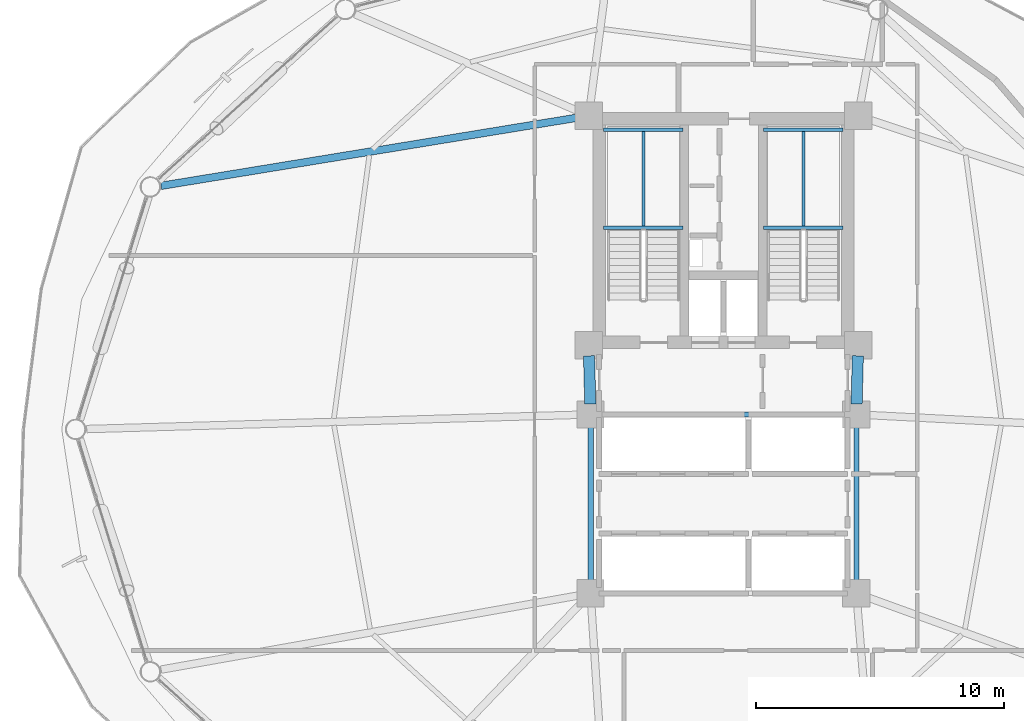
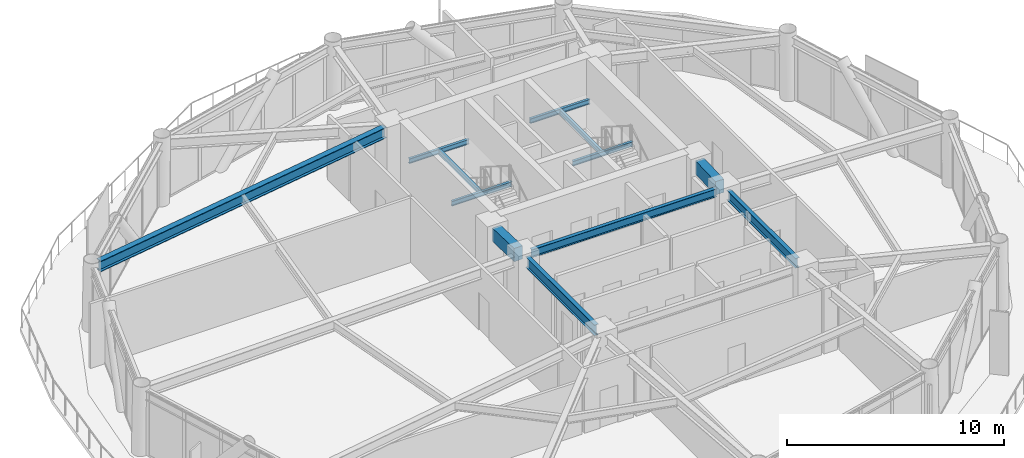
# One storey, part 11 of 24: 12 beams.
"""IFC4 building model written with IfcOpenShell, lengths in metres."""

from ifc_helpers import new_model, si_unit, direction, frame, origin, origin_2d, place, context, subcontext, project, spatial, rectangle, i_section, extrude, material, material_profile, profile_set, type_object, element, save


model = new_model("IFC4")

# Units and contexts
model_context = context("Model", 3, precision=1e-05, world=origin(), true_north=direction((0.0, 1.0)))
body_context = subcontext(model_context, "Body", "Model", "MODEL_VIEW")
ifc_project = project(units=[si_unit("LENGTHUNIT", "METRE"), si_unit("AREAUNIT", "SQUARE_METRE"), si_unit("VOLUMEUNIT", "CUBIC_METRE"), si_unit("PLANEANGLEUNIT", "RADIAN"), si_unit("MASSUNIT", "GRAM", prefix="KILO")], contexts=[model_context])

# Site, building, storey
site_placement = place(None, origin())
site = spatial("IfcSite", under=ifc_project, at=site_placement, CompositionType="ELEMENT")
building_placement = place(site_placement, origin())
building = spatial("IfcBuilding", under=site, at=building_placement, Name="Varnakorn Sky Granary", CompositionType="ELEMENT")
storey_placement = place(building_placement, frame((0.0, 0.0, 103.199951171875)))
storey = spatial("IfcBuildingStorey", under=building, at=storey_placement, Name="L25", CompositionType="ELEMENT", Elevation=103.199951171875)

# Beams
ifc_material_1 = material(Name="Steel S355JR", Category="steel")
ifc_material_profile_1 = material_profile(ifc_material_1, i_section(OverallWidth=0.2099609375, OverallDepth=0.550048828125, WebThickness=0.010986328125, FlangeThickness=0.01708984375, at=origin_2d()), Name="IPE 550")
ifc_profile_set_1 = profile_set([ifc_material_profile_1], Name="Steel S355JR")
beam_type_1 = type_object("IfcBeamType", Name="BM-JST-550", PredefinedType="JOIST", material=ifc_profile_set_1)
beam_1_placement = place(storey_placement, frame((8.35009765625, 0.179931640625, 3.364990234375), z_axis=(0.0, -1.0, 0.0), x_axis=(1.0, 0.0, 0.0)))
element("IfcBeam", 1, at=beam_1_placement, inside=storey, type_object=beam_type_1, Name="Core Spine Framing Beam 4 L25", PredefinedType="JOIST", context=body_context, shape_type="SweptSolid", body=[
    extrude(i_section(OverallWidth=0.2099609375, OverallDepth=0.550048828125, WebThickness=0.010986328125, FlangeThickness=0.01708984375, at=origin_2d()), origin(), (0.0, 0.0, 1.0), 6.35986328125),
])
ifc_material_profile_2 = material_profile(ifc_material_1, i_section(OverallWidth=0.219970703125, OverallDepth=0.60009765625, WebThickness=0.011962890625, FlangeThickness=0.01904296875, at=origin_2d()), Name="IPE 600")
ifc_profile_set_2 = profile_set([ifc_material_profile_2], Name="Steel S355JR")
beam_type_2 = type_object("IfcBeamType", Name="BM-JST-600", PredefinedType="JOIST", material=ifc_profile_set_2)
beam_2_placement = place(storey_placement, frame((-2.35009765625, 0.179931640625, 3.340087890625), z_axis=(0.0, -1.0, 0.0), x_axis=(1.0, 0.0, 0.0)))
element("IfcBeam", 2, at=beam_2_placement, inside=storey, type_object=beam_type_2, Name="Core Spine Framing Beam 3 L25", PredefinedType="JOIST", context=body_context, shape_type="SweptSolid", body=[
    extrude(i_section(OverallWidth=0.219970703125, OverallDepth=0.60009765625, WebThickness=0.011962890625, FlangeThickness=0.01904296875, at=origin_2d()), origin(), (0.0, 0.0, 1.0), 6.35986328125),
])
ifc_material_2 = material(Name="Concrete C60/75", Category="concrete")
ifc_material_profile_3 = material_profile(ifc_material_2, rectangle(XDim=0.449951171875, YDim=0.75, at=origin_2d()), Name="RC 450x750")
ifc_profile_set_3 = profile_set([ifc_material_profile_3], Name="Concrete C60/75")
beam_type_3 = type_object("IfcBeamType", Name="BM-LIN-750", PredefinedType="LINTEL", material=ifc_profile_set_3)
for number, where, z_axis, x_axis, name in (
    (3, (-2.409423828125, 2.960205078125, 3.26513671875), (0.025158763514, -0.999683468213, 0.0), (0.999683468213, 0.025158763514, 0.0), "Core Spine Framing Beam 1 L25"),
    (4, (8.409423828125, 2.960205078125, 3.26513671875), (-0.025158763514, -0.999683468213, 0.0), (0.999683468213, -0.025158763514, 0.0), "Core Spine Framing Beam 2 L25"),
):
    element("IfcBeam", number, at=place(storey_placement, frame(where, z_axis=z_axis, x_axis=x_axis)), inside=storey, type_object=beam_type_3, Name=name, PredefinedType="LINTEL", context=body_context, shape_type="SweptSolid", body=[
        extrude(rectangle(XDim=0.449951171875, YDim=0.75, at=origin_2d()), origin(), (0.0, 0.0, 1.0), 1.94091796875),
    ])
ifc_material_profile_4 = material_profile(ifc_material_1, i_section(OverallWidth=0.135009765625, OverallDepth=0.27001953125, WebThickness=0.006591796875, FlangeThickness=0.01025390625, at=origin_2d()), Name="IPE 270")
ifc_profile_set_4 = profile_set([ifc_material_profile_4], Name="Steel S355JR")
beam_type_4 = type_object("IfcBeamType", Name="BM-LND-270", PredefinedType="BEAM", material=ifc_profile_set_4)
for number, where, z_axis, x_axis, name in (
    (5, (-1.820068359375, 8.1201171875, 1.614990234375), (1.0, 0.0, 0.0), (0.0, 1.0, 0.0), "Stair ST-1 Landing Trimmer Beam A L25-1"),
    (6, (-1.820068359375, 12.06005859375, 1.614990234375), (1.0, 0.0, 0.0), (0.0, 1.0, 0.0), "Stair ST-1 Landing Trimmer Beam B L25-1"),
):
    element("IfcBeam", number, at=place(storey_placement, frame(where, z_axis=z_axis, x_axis=x_axis)), inside=storey, type_object=beam_type_4, Name=name, PredefinedType="BEAM", context=body_context, shape_type="SweptSolid", body=[
        extrude(i_section(OverallWidth=0.135009765625, OverallDepth=0.27001953125, WebThickness=0.006591796875, FlangeThickness=0.01025390625, at=origin_2d()), origin(), (0.0, 0.0, 1.0), 3.199951171875),
    ])
beam_3_placement = place(storey_placement, frame((-0.219970703125, 8.1201171875, 1.614990234375), z_axis=(0.0, 1.0, 0.0), x_axis=(-1.0, 0.0, 0.0)))
element("IfcBeam", 7, at=beam_3_placement, inside=storey, type_object=beam_type_4, Name="Stair ST-1 Landing Cross Beam C L25-1", PredefinedType="BEAM", context=body_context, shape_type="SweptSolid", body=[
    extrude(i_section(OverallWidth=0.135009765625, OverallDepth=0.27001953125, WebThickness=0.006591796875, FlangeThickness=0.01025390625, at=origin_2d()), origin(), (0.0, 0.0, 1.0), 3.93994140625),
])
for number, where, z_axis, x_axis, name in (
    (8, (4.6201171875, 8.1201171875, 1.614990234375), (1.0, 0.0, 0.0), (0.0, 1.0, 0.0), "Stair ST-2 Landing Trimmer Beam A L25-1"),
    (9, (4.6201171875, 12.06005859375, 1.614990234375), (1.0, 0.0, 0.0), (0.0, 1.0, 0.0), "Stair ST-2 Landing Trimmer Beam B L25-1"),
):
    element("IfcBeam", number, at=place(storey_placement, frame(where, z_axis=z_axis, x_axis=x_axis)), inside=storey, type_object=beam_type_4, Name=name, PredefinedType="BEAM", context=body_context, shape_type="SweptSolid", body=[
        extrude(i_section(OverallWidth=0.135009765625, OverallDepth=0.27001953125, WebThickness=0.006591796875, FlangeThickness=0.01025390625, at=origin_2d()), origin(), (0.0, 0.0, 1.0), 3.199951171875),
    ])
beam_4_placement = place(storey_placement, frame((6.219970703125, 8.1201171875, 1.614990234375), z_axis=(0.0, 1.0, 0.0), x_axis=(-1.0, 0.0, 0.0)))
element("IfcBeam", 10, at=beam_4_placement, inside=storey, type_object=beam_type_4, Name="Stair ST-2 Landing Cross Beam C L25-1", PredefinedType="BEAM", context=body_context, shape_type="SweptSolid", body=[
    extrude(i_section(OverallWidth=0.135009765625, OverallDepth=0.27001953125, WebThickness=0.006591796875, FlangeThickness=0.01025390625, at=origin_2d()), origin(), (0.0, 0.0, 1.0), 3.93994140625),
])
ifc_material_profile_5 = material_profile(ifc_material_1, i_section(OverallWidth=0.300048828125, OverallDepth=0.60009765625, WebThickness=0.015380859375, FlangeThickness=0.030029296875, at=origin_2d()), Name="HE 600 B")
ifc_profile_set_5 = profile_set([ifc_material_profile_5], Name="Steel S355JR")
beam_type_5 = type_object("IfcBeamType", Name="BM-RAD-Z2", PredefinedType="BEAM", material=ifc_profile_set_5)
beam_5_placement = place(storey_placement, frame((-2.83447265625, 12.552001953125, 3.340087890625), z_axis=(-0.986858617629, -0.161586103397, 0.0), x_axis=(0.161586103397, -0.986858617629, 0.0)))
element("IfcBeam", 11, at=beam_5_placement, inside=storey, type_object=beam_type_5, Name="Radial Floor Girder RG06 L25", PredefinedType="BEAM", context=body_context, shape_type="SweptSolid", body=[
    extrude(i_section(OverallWidth=0.300048828125, OverallDepth=0.60009765625, WebThickness=0.015380859375, FlangeThickness=0.030029296875, at=origin_2d()), origin(), (0.0, 0.0, 1.0), 17.020263671875),
])
ifc_material_profile_6 = material_profile(ifc_material_1, i_section(OverallWidth=0.18994140625, OverallDepth=0.449951171875, WebThickness=0.009521484375, FlangeThickness=0.0146484375, at=origin_2d()), Name="IPE 450")
ifc_profile_set_6 = profile_set([ifc_material_profile_6], Name="Steel S355JR")
beam_type_6 = type_object("IfcBeamType", Name="BM-SEC-Z2", PredefinedType="BEAM", material=ifc_profile_set_6)
beam_6_placement = place(storey_placement, frame((-1.929931640625, 0.60009765625, 3.4150390625), z_axis=(1.0, 0.0, 0.0), x_axis=(0.0, 1.0, 0.0)))
element("IfcBeam", 12, at=beam_6_placement, inside=storey, type_object=beam_type_6, Name="Core Spine Framing Beam 5 L25", PredefinedType="BEAM", context=body_context, shape_type="SweptSolid", body=[
    extrude(i_section(OverallWidth=0.18994140625, OverallDepth=0.449951171875, WebThickness=0.009521484375, FlangeThickness=0.0146484375, at=origin_2d()), origin(), (0.0, 0.0, 1.0), 9.85986328125),
])

save(model, "model.ifc")
